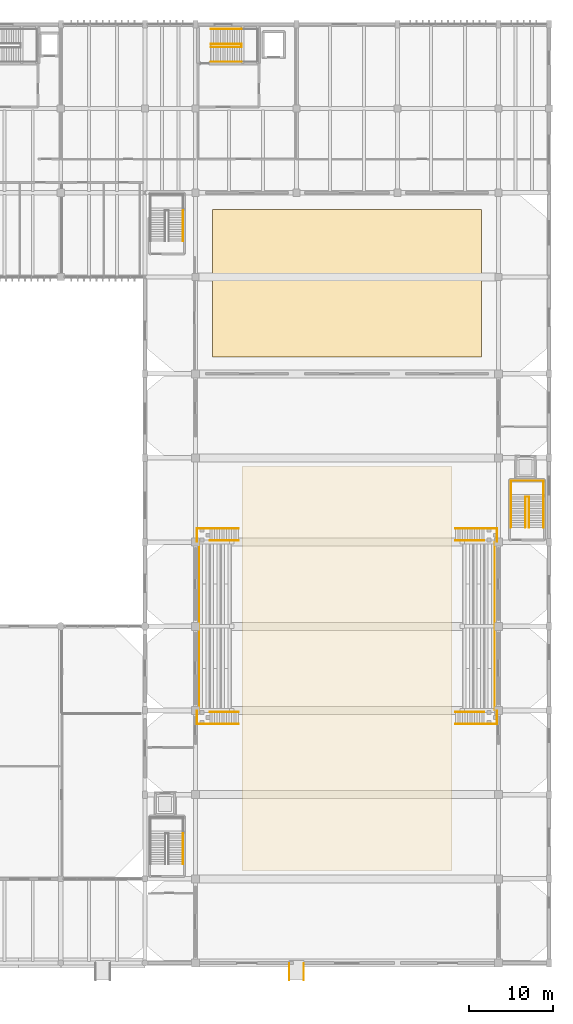
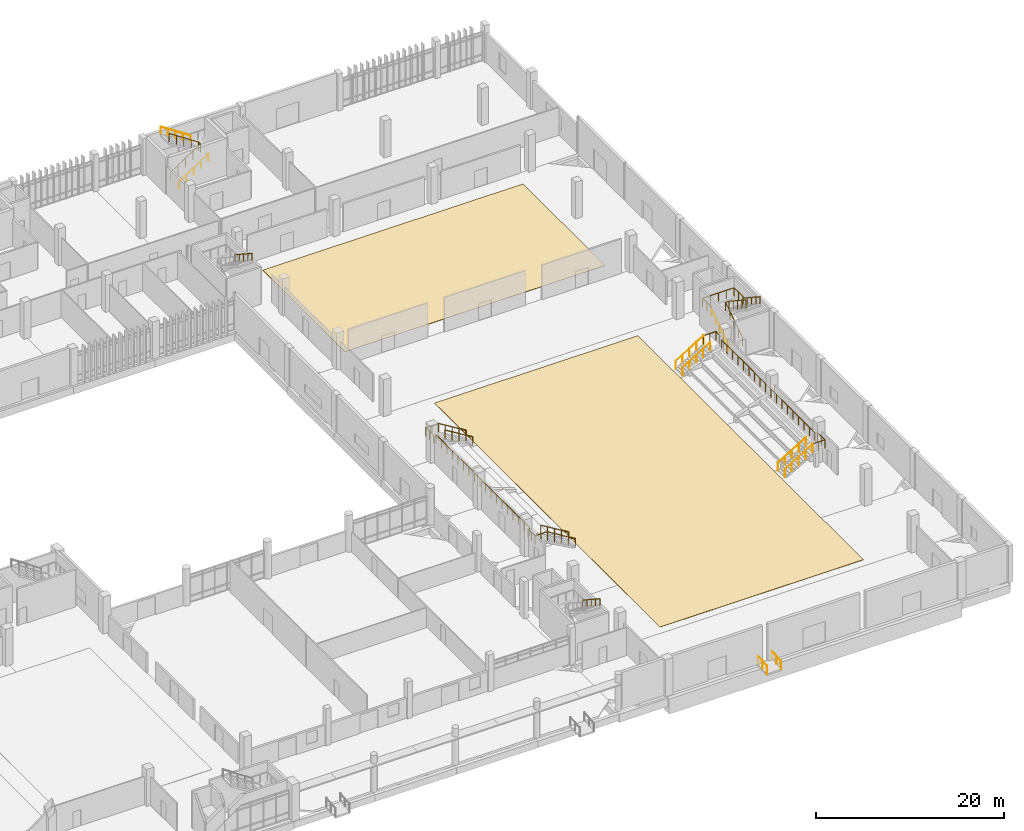
# One storey, part 85 of 87: 25 railings, 2 coverings.
"""IFC4 building model written with IfcOpenShell, lengths in metres."""

from ifc_helpers import new_model, si_unit, direction, frame, origin, origin_2d, place, context, subcontext, project, spatial, polyline, circle, outline, extrude, material, layer, layer_set, type_object, element, save


model = new_model("IFC4")

# Units and contexts
model_context = context("Model", 3, precision=1e-05, world=origin(), true_north=direction((0.0, 1.0)))
body_context = subcontext(model_context, "Body", "Model", "MODEL_VIEW")
ifc_project = project(units=[si_unit("LENGTHUNIT", "METRE"), si_unit("AREAUNIT", "SQUARE_METRE"), si_unit("VOLUMEUNIT", "CUBIC_METRE"), si_unit("PLANEANGLEUNIT", "RADIAN"), si_unit("MASSUNIT", "GRAM", prefix="KILO")], contexts=[model_context])

# Site, building, storey
site_placement = place(None, origin())
site = spatial("IfcSite", under=ifc_project, at=site_placement, CompositionType="ELEMENT")
building_placement = place(site_placement, origin())
building = spatial("IfcBuilding", under=site, at=building_placement, Name="Mersad Railyard Sports Hall", CompositionType="ELEMENT")
storey_placement = place(building_placement, origin())
storey = spatial("IfcBuildingStorey", under=building, at=storey_placement, Name="L00", CompositionType="ELEMENT", Elevation=0.0)

# Coverings
ifc_material_1 = material(Name="Sports floor polyurethane")
ifc_layer = layer(ifc_material_1, 0.030029296875)
ifc_layer_set = layer_set([ifc_layer], Name="Sports floor polyurethane")
covering_type = type_object("IfcCoveringType", Name="ARC-CV-FL01", PredefinedType="FLOORING", material=ifc_layer_set)
covering_1_placement = place(storey_placement, origin())
element("IfcCovering", 1, at=covering_1_placement, inside=storey, type_object=covering_type, Name="Show court hardwood sports flooring 020", PredefinedType="FLOORING", context=body_context, shape_type="SweptSolid", body=[
    extrude(outline(polyline([(142.5, 14.5), (167.5, 14.5), (167.5, 62.5), (142.5, 62.5), (142.5, 14.5)])), origin(), (0.0, 0.0, 1.0), 0.030029296875),
])
covering_2_placement = place(storey_placement, origin())
element("IfcCovering", 2, at=covering_2_placement, inside=storey, type_object=covering_type, Name="Climbing hall impact flooring 021", PredefinedType="FLOORING", context=body_context, shape_type="SweptSolid", body=[
    extrude(outline(polyline([(139.0, 75.5), (171.0, 75.5), (171.0, 93.0), (139.0, 93.0), (139.0, 75.5)])), origin(), (0.0, 0.0, 1.0), 0.030029296875),
])

# Railings
ifc_material_2 = material(Name="Steel S355", Category="steel")
railing_type_1 = type_object("IfcRailingType", Name="ARC-RL-GR01", PredefinedType="GUARDRAIL", material=ifc_material_2)
railing_1_placement = place(storey_placement, frame((138.85009765625, 112.31005859375, 0.0)))
element("IfcRailing", 3, at=railing_1_placement, inside=storey, type_object=railing_type_1, Name="Interior guard GR01-0098", PredefinedType="GUARDRAIL", context=body_context, shape_type="SweptSolid", body=[
    extrude(circle(Radius=0.02392578125, at=origin_2d()), frame((0.0, 0.0, 1.09619140625), z_axis=(0.834865213223, 0.0, 0.550454426587), x_axis=(0.0, 1.0, 0.0)), (0.0, 0.0, 1.0), 4.35986328125),
    extrude(circle(Radius=0.02392578125, at=origin_2d()), frame((3.639892578125, 0.0, 3.49609375), z_axis=(0.0, 1.0, 0.0), x_axis=(-1.0, 0.0, 0.0)), (0.0, 0.0, 1.0), 0.3798828125),
    extrude(circle(Radius=0.02392578125, at=origin_2d()), frame((3.639892578125, 0.3798828125, 3.49609375), z_axis=(-0.834839479206, 0.0, 0.550493454965), x_axis=(0.0, -1.0, 0.0)), (0.0, 0.0, 1.0), 4.360107421875),
    extrude(circle(Radius=0.02099609375, at=origin_2d()), origin(), (0.0, 0.0, 1.0), 1.072021484375),
    extrude(circle(Radius=0.02099609375, at=origin_2d()), frame((0.909912109375, 0.0, 0.60009765625)), (0.0, 0.0, 1.0), 1.072021484375),
    extrude(circle(Radius=0.02099609375, at=origin_2d()), frame((1.81982421875, 0.0, 1.199951171875)), (0.0, 0.0, 1.0), 1.072021484375),
    extrude(circle(Radius=0.02099609375, at=origin_2d()), frame((2.72998046875, 0.0, 1.7998046875)), (0.0, 0.0, 1.0), 1.072021484375),
    extrude(circle(Radius=0.02099609375, at=origin_2d()), frame((3.639892578125, 0.0, 2.39990234375)), (0.0, 0.0, 1.0), 1.072021484375),
    extrude(circle(Radius=0.02099609375, at=origin_2d()), frame((3.639892578125, 0.3798828125, 2.39990234375)), (0.0, 0.0, 1.0), 1.072021484375),
    extrude(circle(Radius=0.02099609375, at=origin_2d()), frame((2.72998046875, 0.3798828125, 3.0)), (0.0, 0.0, 1.0), 1.072021484375),
    extrude(circle(Radius=0.02099609375, at=origin_2d()), frame((1.81982421875, 0.3798828125, 3.60009765625)), (0.0, 0.0, 1.0), 1.072021484375),
    extrude(circle(Radius=0.02099609375, at=origin_2d()), frame((0.909912109375, 0.3798828125, 4.199951171875)), (0.0, 0.0, 1.0), 1.072021484375),
    extrude(circle(Radius=0.02099609375, at=origin_2d()), frame((0.0, 0.3798828125, 4.800048828125)), (0.0, 0.0, 1.0), 1.072021484375),
])
railing_2_placement = place(storey_placement, frame((176.18994140625, 55.25, 0.0)))
element("IfcRailing", 4, at=railing_2_placement, inside=storey, type_object=railing_type_1, Name="Interior guard GR01-0148", PredefinedType="GUARDRAIL", context=body_context, shape_type="SweptSolid", body=[
    extrude(circle(Radius=0.02392578125, at=origin_2d()), frame((0.0, 0.0, 1.09619140625), z_axis=(0.0, 0.834865213223, 0.550454426587), x_axis=(-1.0, 0.0, 0.0)), (0.0, 0.0, 1.0), 4.35986328125),
    extrude(circle(Radius=0.02392578125, at=origin_2d()), frame((0.0, 3.639892578125, 3.49609375), z_axis=(1.0, 0.0, 0.0), x_axis=(0.0, 1.0, 0.0)), (0.0, 0.0, 1.0), 0.420166015625),
    extrude(circle(Radius=0.02392578125, at=origin_2d()), frame((0.420166015625, 3.639892578125, 3.49609375), z_axis=(0.0, -0.834839479206, 0.550493454965), x_axis=(1.0, 0.0, 0.0)), (0.0, 0.0, 1.0), 4.360107421875),
    extrude(circle(Radius=0.02099609375, at=origin_2d()), origin(), (0.0, 0.0, 1.0), 1.072021484375),
    extrude(circle(Radius=0.02099609375, at=origin_2d()), frame((0.0, 0.909912109375, 0.60009765625)), (0.0, 0.0, 1.0), 1.072021484375),
    extrude(circle(Radius=0.02099609375, at=origin_2d()), frame((0.0, 1.81982421875, 1.199951171875)), (0.0, 0.0, 1.0), 1.072021484375),
    extrude(circle(Radius=0.02099609375, at=origin_2d()), frame((0.0, 2.72998046875, 1.7998046875)), (0.0, 0.0, 1.0), 1.072021484375),
    extrude(circle(Radius=0.02099609375, at=origin_2d()), frame((0.0, 3.639892578125, 2.39990234375)), (0.0, 0.0, 1.0), 1.072021484375),
    extrude(circle(Radius=0.02099609375, at=origin_2d()), frame((0.420166015625, 3.639892578125, 2.39990234375)), (0.0, 0.0, 1.0), 1.072021484375),
    extrude(circle(Radius=0.02099609375, at=origin_2d()), frame((0.420166015625, 2.72998046875, 3.0)), (0.0, 0.0, 1.0), 1.072021484375),
    extrude(circle(Radius=0.02099609375, at=origin_2d()), frame((0.420166015625, 1.81982421875, 3.60009765625)), (0.0, 0.0, 1.0), 1.072021484375),
    extrude(circle(Radius=0.02099609375, at=origin_2d()), frame((0.420166015625, 0.909912109375, 4.199951171875)), (0.0, 0.0, 1.0), 1.072021484375),
    extrude(circle(Radius=0.02099609375, at=origin_2d()), frame((0.420166015625, 0.0, 4.800048828125)), (0.0, 0.0, 1.0), 1.072021484375),
])
railing_3_placement = place(storey_placement, frame((174.4599609375, 58.889892578125, 2.39990234375)))
element("IfcRailing", 5, at=railing_3_placement, inside=storey, type_object=railing_type_1, Name="Interior guard GR01-0149", PredefinedType="GUARDRAIL", context=body_context, shape_type="SweptSolid", body=[
    extrude(circle(Radius=0.02392578125, at=origin_2d()), frame((0.0, 0.0, 1.09619140625), z_axis=(0.0, 1.0, 0.0), x_axis=(-1.0, 0.0, 0.0)), (0.0, 0.0, 1.0), 1.900146484375),
    extrude(circle(Radius=0.02392578125, at=origin_2d()), frame((0.0, 1.900146484375, 1.09619140625), z_axis=(1.0, 0.0, 0.0), x_axis=(0.0, 1.0, 0.0)), (0.0, 0.0, 1.0), 3.880126953125),
    extrude(circle(Radius=0.02392578125, at=origin_2d()), frame((3.880126953125, 1.900146484375, 1.09619140625), z_axis=(0.0, -1.0, 0.0), x_axis=(1.0, 0.0, 0.0)), (0.0, 0.0, 1.0), 1.900146484375),
    extrude(circle(Radius=0.02099609375, at=origin_2d()), origin(), (0.0, 0.0, 1.0), 1.072021484375),
    extrude(circle(Radius=0.02099609375, at=origin_2d()), frame((0.0, 0.9501953125, 0.0)), (0.0, 0.0, 1.0), 1.072021484375),
    extrude(circle(Radius=0.02099609375, at=origin_2d()), frame((0.0, 1.900146484375, 0.0)), (0.0, 0.0, 1.0), 1.072021484375),
    extrude(circle(Radius=0.02099609375, at=origin_2d()), frame((0.969970703125, 1.900146484375, 0.0)), (0.0, 0.0, 1.0), 1.072021484375),
    extrude(circle(Radius=0.02099609375, at=origin_2d()), frame((1.93994140625, 1.900146484375, 0.0)), (0.0, 0.0, 1.0), 1.072021484375),
    extrude(circle(Radius=0.02099609375, at=origin_2d()), frame((2.91015625, 1.900146484375, 0.0)), (0.0, 0.0, 1.0), 1.072021484375),
    extrude(circle(Radius=0.02099609375, at=origin_2d()), frame((3.880126953125, 1.900146484375, 0.0)), (0.0, 0.0, 1.0), 1.072021484375),
    extrude(circle(Radius=0.02099609375, at=origin_2d()), frame((3.880126953125, 0.9501953125, 0.0)), (0.0, 0.0, 1.0), 1.072021484375),
    extrude(circle(Radius=0.02099609375, at=origin_2d()), frame((3.880126953125, 0.0, 0.0)), (0.0, 0.0, 1.0), 1.072021484375),
])
for number, where, name in (
    (6, (142.1201171875, 31.889892578125, 0.0), "Interior guard GR01-0156"),
    (7, (142.1201171875, 33.31005859375, 0.0), "Interior guard GR01-0157"),
):
    element("IfcRailing", number, at=place(storey_placement, frame(where)), inside=storey, type_object=railing_type_1, Name=name, PredefinedType="GUARDRAIL", context=body_context, shape_type="SweptSolid", body=[
        extrude(circle(Radius=0.02392578125, at=origin_2d()), frame((0.0, 0.0, 1.09619140625), z_axis=(-0.852171701593, 0.0, 0.523262258341), x_axis=(0.0, -1.0, 0.0)), (0.0, 0.0, 1.0), 4.013427734375),
        extrude(circle(Radius=0.02099609375, at=origin_2d()), origin(), (0.0, 0.0, 1.0), 1.072021484375),
        extrude(circle(Radius=0.02099609375, at=origin_2d()), frame((-0.85498046875, 0.0, 0.52490234375)), (0.0, 0.0, 1.0), 1.072021484375),
        extrude(circle(Radius=0.02099609375, at=origin_2d()), frame((-1.7099609375, 0.0, 1.050048828125)), (0.0, 0.0, 1.0), 1.072021484375),
        extrude(circle(Radius=0.02099609375, at=origin_2d()), frame((-2.565185546875, 0.0, 1.5751953125)), (0.0, 0.0, 1.0), 1.072021484375),
        extrude(circle(Radius=0.02099609375, at=origin_2d()), frame((-3.420166015625, 0.0, 2.10009765625)), (0.0, 0.0, 1.0), 1.072021484375),
    ])
railing_4_placement = place(storey_placement, frame((138.699951171875, 31.89990234375, 2.10009765625)))
element("IfcRailing", 8, at=railing_4_placement, inside=storey, type_object=railing_type_1, Name="Interior guard GR01-0158", PredefinedType="GUARDRAIL", context=body_context, shape_type="SweptSolid", body=[
    extrude(circle(Radius=0.02392578125, at=origin_2d()), frame((0.0, 0.0, 1.09619140625), z_axis=(-1.0, 0.0, 0.0), x_axis=(0.0, -1.0, 0.0)), (0.0, 0.0, 1.0), 1.510009765625),
    extrude(circle(Radius=0.02392578125, at=origin_2d()), frame((-1.510009765625, 0.0, 1.09619140625), z_axis=(0.0, 1.0, 0.0), x_axis=(-1.0, 0.0, 0.0)), (0.0, 0.0, 1.0), 1.550048828125),
    extrude(circle(Radius=0.02099609375, at=origin_2d()), origin(), (0.0, 0.0, 1.0), 1.072021484375),
    extrude(circle(Radius=0.02099609375, at=origin_2d()), frame((-0.7548828125, 0.0, 0.0)), (0.0, 0.0, 1.0), 1.072021484375),
    extrude(circle(Radius=0.02099609375, at=origin_2d()), frame((-1.510009765625, 0.0, 0.0)), (0.0, 0.0, 1.0), 1.072021484375),
    extrude(circle(Radius=0.02099609375, at=origin_2d()), frame((-1.510009765625, 0.77490234375, 0.0)), (0.0, 0.0, 1.0), 1.072021484375),
    extrude(circle(Radius=0.02099609375, at=origin_2d()), frame((-1.510009765625, 1.550048828125, 0.0)), (0.0, 0.0, 1.0), 1.072021484375),
])
for number, where, name in (
    (9, (142.1201171875, 53.68994140625, 0.0), "Interior guard GR01-0159"),
    (10, (142.1201171875, 55.110107421875, 0.0), "Interior guard GR01-0160"),
):
    element("IfcRailing", number, at=place(storey_placement, frame(where)), inside=storey, type_object=railing_type_1, Name=name, PredefinedType="GUARDRAIL", context=body_context, shape_type="SweptSolid", body=[
        extrude(circle(Radius=0.02392578125, at=origin_2d()), frame((0.0, 0.0, 1.09619140625), z_axis=(-0.852171701593, 0.0, 0.523262258341), x_axis=(0.0, -1.0, 0.0)), (0.0, 0.0, 1.0), 4.013427734375),
        extrude(circle(Radius=0.02099609375, at=origin_2d()), origin(), (0.0, 0.0, 1.0), 1.072021484375),
        extrude(circle(Radius=0.02099609375, at=origin_2d()), frame((-0.85498046875, 0.0, 0.52490234375)), (0.0, 0.0, 1.0), 1.072021484375),
        extrude(circle(Radius=0.02099609375, at=origin_2d()), frame((-1.7099609375, 0.0, 1.050048828125)), (0.0, 0.0, 1.0), 1.072021484375),
        extrude(circle(Radius=0.02099609375, at=origin_2d()), frame((-2.565185546875, 0.0, 1.5751953125)), (0.0, 0.0, 1.0), 1.072021484375),
        extrude(circle(Radius=0.02099609375, at=origin_2d()), frame((-3.420166015625, 0.0, 2.10009765625)), (0.0, 0.0, 1.0), 1.072021484375),
    ])
railing_5_placement = place(storey_placement, frame((138.699951171875, 55.10009765625, 2.10009765625)))
element("IfcRailing", 11, at=railing_5_placement, inside=storey, type_object=railing_type_1, Name="Interior guard GR01-0161", PredefinedType="GUARDRAIL", context=body_context, shape_type="SweptSolid", body=[
    extrude(circle(Radius=0.02392578125, at=origin_2d()), frame((0.0, 0.0, 1.09619140625), z_axis=(-1.0, 0.0, 0.0), x_axis=(0.0, -1.0, 0.0)), (0.0, 0.0, 1.0), 1.510009765625),
    extrude(circle(Radius=0.02392578125, at=origin_2d()), frame((-1.510009765625, 0.0, 1.09619140625), z_axis=(0.0, -1.0, 0.0), x_axis=(1.0, 0.0, 0.0)), (0.0, 0.0, 1.0), 1.550048828125),
    extrude(circle(Radius=0.02099609375, at=origin_2d()), origin(), (0.0, 0.0, 1.0), 1.072021484375),
    extrude(circle(Radius=0.02099609375, at=origin_2d()), frame((-0.7548828125, 0.0, 0.0)), (0.0, 0.0, 1.0), 1.072021484375),
    extrude(circle(Radius=0.02099609375, at=origin_2d()), frame((-1.510009765625, 0.0, 0.0)), (0.0, 0.0, 1.0), 1.072021484375),
    extrude(circle(Radius=0.02099609375, at=origin_2d()), frame((-1.510009765625, -0.77490234375, 0.0)), (0.0, 0.0, 1.0), 1.072021484375),
    extrude(circle(Radius=0.02099609375, at=origin_2d()), frame((-1.510009765625, -1.550048828125, 0.0)), (0.0, 0.0, 1.0), 1.072021484375),
])
for number, where, name in (
    (12, (167.8798828125, 31.889892578125, 0.0), "Interior guard GR01-0162"),
    (13, (167.8798828125, 33.31005859375, 0.0), "Interior guard GR01-0163"),
):
    element("IfcRailing", number, at=place(storey_placement, frame(where)), inside=storey, type_object=railing_type_1, Name=name, PredefinedType="GUARDRAIL", context=body_context, shape_type="SweptSolid", body=[
        extrude(circle(Radius=0.02392578125, at=origin_2d()), frame((0.0, 0.0, 1.09619140625), z_axis=(0.852171701593, 0.0, 0.523262258341), x_axis=(0.0, 1.0, 0.0)), (0.0, 0.0, 1.0), 4.013427734375),
        extrude(circle(Radius=0.02099609375, at=origin_2d()), origin(), (0.0, 0.0, 1.0), 1.072021484375),
        extrude(circle(Radius=0.02099609375, at=origin_2d()), frame((0.85498046875, 0.0, 0.52490234375)), (0.0, 0.0, 1.0), 1.072021484375),
        extrude(circle(Radius=0.02099609375, at=origin_2d()), frame((1.7099609375, 0.0, 1.050048828125)), (0.0, 0.0, 1.0), 1.072021484375),
        extrude(circle(Radius=0.02099609375, at=origin_2d()), frame((2.565185546875, 0.0, 1.5751953125)), (0.0, 0.0, 1.0), 1.072021484375),
        extrude(circle(Radius=0.02099609375, at=origin_2d()), frame((3.420166015625, 0.0, 2.10009765625)), (0.0, 0.0, 1.0), 1.072021484375),
    ])
railing_6_placement = place(storey_placement, frame((171.300048828125, 31.89990234375, 2.10009765625)))
element("IfcRailing", 14, at=railing_6_placement, inside=storey, type_object=railing_type_1, Name="Interior guard GR01-0164", PredefinedType="GUARDRAIL", context=body_context, shape_type="SweptSolid", body=[
    extrude(circle(Radius=0.02392578125, at=origin_2d()), frame((0.0, 0.0, 1.09619140625), z_axis=(1.0, 0.0, 0.0), x_axis=(0.0, 1.0, 0.0)), (0.0, 0.0, 1.0), 1.510009765625),
    extrude(circle(Radius=0.02392578125, at=origin_2d()), frame((1.510009765625, 0.0, 1.09619140625), z_axis=(0.0, 1.0, 0.0), x_axis=(-1.0, 0.0, 0.0)), (0.0, 0.0, 1.0), 1.550048828125),
    extrude(circle(Radius=0.02099609375, at=origin_2d()), origin(), (0.0, 0.0, 1.0), 1.072021484375),
    extrude(circle(Radius=0.02099609375, at=origin_2d()), frame((0.7548828125, 0.0, 0.0)), (0.0, 0.0, 1.0), 1.072021484375),
    extrude(circle(Radius=0.02099609375, at=origin_2d()), frame((1.510009765625, 0.0, 0.0)), (0.0, 0.0, 1.0), 1.072021484375),
    extrude(circle(Radius=0.02099609375, at=origin_2d()), frame((1.510009765625, 0.77490234375, 0.0)), (0.0, 0.0, 1.0), 1.072021484375),
    extrude(circle(Radius=0.02099609375, at=origin_2d()), frame((1.510009765625, 1.550048828125, 0.0)), (0.0, 0.0, 1.0), 1.072021484375),
])
for number, where, name in (
    (15, (167.8798828125, 53.68994140625, 0.0), "Interior guard GR01-0165"),
    (16, (167.8798828125, 55.110107421875, 0.0), "Interior guard GR01-0166"),
):
    element("IfcRailing", number, at=place(storey_placement, frame(where)), inside=storey, type_object=railing_type_1, Name=name, PredefinedType="GUARDRAIL", context=body_context, shape_type="SweptSolid", body=[
        extrude(circle(Radius=0.02392578125, at=origin_2d()), frame((0.0, 0.0, 1.09619140625), z_axis=(0.852171701593, 0.0, 0.523262258341), x_axis=(0.0, 1.0, 0.0)), (0.0, 0.0, 1.0), 4.013427734375),
        extrude(circle(Radius=0.02099609375, at=origin_2d()), origin(), (0.0, 0.0, 1.0), 1.072021484375),
        extrude(circle(Radius=0.02099609375, at=origin_2d()), frame((0.85498046875, 0.0, 0.52490234375)), (0.0, 0.0, 1.0), 1.072021484375),
        extrude(circle(Radius=0.02099609375, at=origin_2d()), frame((1.7099609375, 0.0, 1.050048828125)), (0.0, 0.0, 1.0), 1.072021484375),
        extrude(circle(Radius=0.02099609375, at=origin_2d()), frame((2.565185546875, 0.0, 1.5751953125)), (0.0, 0.0, 1.0), 1.072021484375),
        extrude(circle(Radius=0.02099609375, at=origin_2d()), frame((3.420166015625, 0.0, 2.10009765625)), (0.0, 0.0, 1.0), 1.072021484375),
    ])
railing_7_placement = place(storey_placement, frame((171.300048828125, 55.10009765625, 2.10009765625)))
element("IfcRailing", 17, at=railing_7_placement, inside=storey, type_object=railing_type_1, Name="Interior guard GR01-0167", PredefinedType="GUARDRAIL", context=body_context, shape_type="SweptSolid", body=[
    extrude(circle(Radius=0.02392578125, at=origin_2d()), frame((0.0, 0.0, 1.09619140625), z_axis=(1.0, 0.0, 0.0), x_axis=(0.0, 1.0, 0.0)), (0.0, 0.0, 1.0), 1.510009765625),
    extrude(circle(Radius=0.02392578125, at=origin_2d()), frame((1.510009765625, 0.0, 1.09619140625), z_axis=(0.0, -1.0, 0.0), x_axis=(1.0, 0.0, 0.0)), (0.0, 0.0, 1.0), 1.550048828125),
    extrude(circle(Radius=0.02099609375, at=origin_2d()), origin(), (0.0, 0.0, 1.0), 1.072021484375),
    extrude(circle(Radius=0.02099609375, at=origin_2d()), frame((0.7548828125, 0.0, 0.0)), (0.0, 0.0, 1.0), 1.072021484375),
    extrude(circle(Radius=0.02099609375, at=origin_2d()), frame((1.510009765625, 0.0, 0.0)), (0.0, 0.0, 1.0), 1.072021484375),
    extrude(circle(Radius=0.02099609375, at=origin_2d()), frame((1.510009765625, -0.77490234375, 0.0)), (0.0, 0.0, 1.0), 1.072021484375),
    extrude(circle(Radius=0.02099609375, at=origin_2d()), frame((1.510009765625, -1.550048828125, 0.0)), (0.0, 0.0, 1.0), 1.072021484375),
])
for number, where, name in (
    (18, (148.139892578125, 1.5, -0.14990234375), "Interior guard GR01-0178"),
    (19, (149.860107421875, 1.5, -0.14990234375), "Interior guard GR01-0179"),
):
    element("IfcRailing", number, at=place(storey_placement, frame(where)), inside=storey, type_object=railing_type_1, Name=name, PredefinedType="GUARDRAIL", context=body_context, shape_type="SweptSolid", body=[
        extrude(circle(Radius=0.02392578125, at=origin_2d()), frame((0.0, 0.0, 1.09619140625), z_axis=(0.0, 0.99743646422, 0.07155766796), x_axis=(-1.0, 0.0, 0.0)), (0.0, 0.0, 1.0), 1.955078125),
        extrude(circle(Radius=0.02099609375, at=origin_2d()), origin(), (0.0, 0.0, 1.0), 1.072021484375),
        extrude(circle(Radius=0.02099609375, at=origin_2d()), frame((0.0, 0.97509765625, 0.06982421875)), (0.0, 0.0, 1.0), 1.072021484375),
        extrude(circle(Radius=0.02099609375, at=origin_2d()), frame((0.0, 1.949951171875, 0.139892578125)), (0.0, 0.0, 1.0), 1.072021484375),
    ])
railing_8_placement = place(storey_placement, frame((137.449951171875, 33.550048828125, 2.10009765625)))
element("IfcRailing", 20, at=railing_8_placement, inside=storey, type_object=railing_type_1, Name="Interior guard GR01-0196", PredefinedType="GUARDRAIL", context=body_context, shape_type="SweptSolid", body=[
    extrude(circle(Radius=0.02392578125, at=origin_2d()), frame((0.0, 0.0, 1.09619140625), z_axis=(0.0, 1.0, 0.0), x_axis=(-1.0, 0.0, 0.0)), (0.0, 0.0, 1.0), 19.89990234375),
    extrude(circle(Radius=0.02099609375, at=origin_2d()), origin(), (0.0, 0.0, 1.0), 1.072021484375),
    extrude(circle(Radius=0.02099609375, at=origin_2d()), frame((0.0, 1.170654296875, 0.0)), (0.0, 0.0, 1.0), 1.072021484375),
    extrude(circle(Radius=0.02099609375, at=origin_2d()), frame((0.0, 2.341064453125, 0.0)), (0.0, 0.0, 1.0), 1.072021484375),
    extrude(circle(Radius=0.02099609375, at=origin_2d()), frame((0.0, 3.51171875, 0.0)), (0.0, 0.0, 1.0), 1.072021484375),
    extrude(circle(Radius=0.02099609375, at=origin_2d()), frame((0.0, 4.682373046875, 0.0)), (0.0, 0.0, 1.0), 1.072021484375),
    extrude(circle(Radius=0.02099609375, at=origin_2d()), frame((0.0, 5.85302734375, 0.0)), (0.0, 0.0, 1.0), 1.072021484375),
    extrude(circle(Radius=0.02099609375, at=origin_2d()), frame((0.0, 7.0234375, 0.0)), (0.0, 0.0, 1.0), 1.072021484375),
    extrude(circle(Radius=0.02099609375, at=origin_2d()), frame((0.0, 8.194091796875, 0.0)), (0.0, 0.0, 1.0), 1.072021484375),
    extrude(circle(Radius=0.02099609375, at=origin_2d()), frame((0.0, 9.36474609375, 0.0)), (0.0, 0.0, 1.0), 1.072021484375),
    extrude(circle(Radius=0.02099609375, at=origin_2d()), frame((0.0, 10.53515625, 0.0)), (0.0, 0.0, 1.0), 1.072021484375),
    extrude(circle(Radius=0.02099609375, at=origin_2d()), frame((0.0, 11.705810546875, 0.0)), (0.0, 0.0, 1.0), 1.072021484375),
    extrude(circle(Radius=0.02099609375, at=origin_2d()), frame((0.0, 12.87646484375, 0.0)), (0.0, 0.0, 1.0), 1.072021484375),
    extrude(circle(Radius=0.02099609375, at=origin_2d()), frame((0.0, 14.046875, 0.0)), (0.0, 0.0, 1.0), 1.072021484375),
    extrude(circle(Radius=0.02099609375, at=origin_2d()), frame((0.0, 15.217529296875, 0.0)), (0.0, 0.0, 1.0), 1.072021484375),
    extrude(circle(Radius=0.02099609375, at=origin_2d()), frame((0.0, 16.38818359375, 0.0)), (0.0, 0.0, 1.0), 1.072021484375),
    extrude(circle(Radius=0.02099609375, at=origin_2d()), frame((0.0, 17.558837890625, 0.0)), (0.0, 0.0, 1.0), 1.072021484375),
    extrude(circle(Radius=0.02099609375, at=origin_2d()), frame((0.0, 18.729248046875, 0.0)), (0.0, 0.0, 1.0), 1.072021484375),
    extrude(circle(Radius=0.02099609375, at=origin_2d()), frame((0.0, 19.89990234375, 0.0)), (0.0, 0.0, 1.0), 1.072021484375),
])
railing_9_placement = place(storey_placement, frame((172.550048828125, 33.550048828125, 2.10009765625)))
element("IfcRailing", 21, at=railing_9_placement, inside=storey, type_object=railing_type_1, Name="Interior guard GR01-0197", PredefinedType="GUARDRAIL", context=body_context, shape_type="SweptSolid", body=[
    extrude(circle(Radius=0.02392578125, at=origin_2d()), frame((0.0, 0.0, 1.09619140625), z_axis=(0.0, 1.0, 0.0), x_axis=(-1.0, 0.0, 0.0)), (0.0, 0.0, 1.0), 19.89990234375),
    extrude(circle(Radius=0.02099609375, at=origin_2d()), origin(), (0.0, 0.0, 1.0), 1.072021484375),
    extrude(circle(Radius=0.02099609375, at=origin_2d()), frame((0.0, 1.170654296875, 0.0)), (0.0, 0.0, 1.0), 1.072021484375),
    extrude(circle(Radius=0.02099609375, at=origin_2d()), frame((0.0, 2.341064453125, 0.0)), (0.0, 0.0, 1.0), 1.072021484375),
    extrude(circle(Radius=0.02099609375, at=origin_2d()), frame((0.0, 3.51171875, 0.0)), (0.0, 0.0, 1.0), 1.072021484375),
    extrude(circle(Radius=0.02099609375, at=origin_2d()), frame((0.0, 4.682373046875, 0.0)), (0.0, 0.0, 1.0), 1.072021484375),
    extrude(circle(Radius=0.02099609375, at=origin_2d()), frame((0.0, 5.85302734375, 0.0)), (0.0, 0.0, 1.0), 1.072021484375),
    extrude(circle(Radius=0.02099609375, at=origin_2d()), frame((0.0, 7.0234375, 0.0)), (0.0, 0.0, 1.0), 1.072021484375),
    extrude(circle(Radius=0.02099609375, at=origin_2d()), frame((0.0, 8.194091796875, 0.0)), (0.0, 0.0, 1.0), 1.072021484375),
    extrude(circle(Radius=0.02099609375, at=origin_2d()), frame((0.0, 9.36474609375, 0.0)), (0.0, 0.0, 1.0), 1.072021484375),
    extrude(circle(Radius=0.02099609375, at=origin_2d()), frame((0.0, 10.53515625, 0.0)), (0.0, 0.0, 1.0), 1.072021484375),
    extrude(circle(Radius=0.02099609375, at=origin_2d()), frame((0.0, 11.705810546875, 0.0)), (0.0, 0.0, 1.0), 1.072021484375),
    extrude(circle(Radius=0.02099609375, at=origin_2d()), frame((0.0, 12.87646484375, 0.0)), (0.0, 0.0, 1.0), 1.072021484375),
    extrude(circle(Radius=0.02099609375, at=origin_2d()), frame((0.0, 14.046875, 0.0)), (0.0, 0.0, 1.0), 1.072021484375),
    extrude(circle(Radius=0.02099609375, at=origin_2d()), frame((0.0, 15.217529296875, 0.0)), (0.0, 0.0, 1.0), 1.072021484375),
    extrude(circle(Radius=0.02099609375, at=origin_2d()), frame((0.0, 16.38818359375, 0.0)), (0.0, 0.0, 1.0), 1.072021484375),
    extrude(circle(Radius=0.02099609375, at=origin_2d()), frame((0.0, 17.558837890625, 0.0)), (0.0, 0.0, 1.0), 1.072021484375),
    extrude(circle(Radius=0.02099609375, at=origin_2d()), frame((0.0, 18.729248046875, 0.0)), (0.0, 0.0, 1.0), 1.072021484375),
    extrude(circle(Radius=0.02099609375, at=origin_2d()), frame((0.0, 19.89990234375, 0.0)), (0.0, 0.0, 1.0), 1.072021484375),
])
railing_type_2 = type_object("IfcRailingType", Name="ARC-RL-HR01", PredefinedType="HANDRAIL", material=ifc_material_2)
railing_10_placement = place(storey_placement, frame((138.85009765625, 110.56005859375, 0.0)))
element("IfcRailing", 22, at=railing_10_placement, inside=storey, type_object=railing_type_2, Name="Interior handrail HR01-0096", PredefinedType="HANDRAIL", context=body_context, shape_type="SweptSolid", body=[
    extrude(circle(Radius=0.02392578125, at=origin_2d()), frame((0.0, 0.0, 0.89599609375), z_axis=(0.834865213223, 0.0, 0.550454426587), x_axis=(0.0, 1.0, 0.0)), (0.0, 0.0, 1.0), 4.35986328125),
    extrude(circle(Radius=0.02099609375, at=origin_2d()), origin(), (0.0, 0.0, 1.0), 0.871826171875),
    extrude(circle(Radius=0.02099609375, at=origin_2d()), frame((0.909912109375, 0.0, 0.60009765625)), (0.0, 0.0, 1.0), 0.871826171875),
    extrude(circle(Radius=0.02099609375, at=origin_2d()), frame((1.81982421875, 0.0, 1.199951171875)), (0.0, 0.0, 1.0), 0.871826171875),
    extrude(circle(Radius=0.02099609375, at=origin_2d()), frame((2.72998046875, 0.0, 1.7998046875)), (0.0, 0.0, 1.0), 0.871826171875),
    extrude(circle(Radius=0.02099609375, at=origin_2d()), frame((3.639892578125, 0.0, 2.39990234375)), (0.0, 0.0, 1.0), 0.871826171875),
])
railing_11_placement = place(storey_placement, frame((142.489990234375, 114.43994140625, 2.39990234375)))
element("IfcRailing", 23, at=railing_11_placement, inside=storey, type_object=railing_type_2, Name="Interior handrail HR01-0097", PredefinedType="HANDRAIL", context=body_context, shape_type="SweptSolid", body=[
    extrude(circle(Radius=0.02392578125, at=origin_2d()), frame((0.0, 0.0, 0.89599609375), z_axis=(-0.834839479206, 0.0, 0.550493454965), x_axis=(0.0, -1.0, 0.0)), (0.0, 0.0, 1.0), 4.360107421875),
    extrude(circle(Radius=0.02099609375, at=origin_2d()), origin(), (0.0, 0.0, 1.0), 0.871826171875),
    extrude(circle(Radius=0.02099609375, at=origin_2d()), frame((-0.909912109375, 0.0, 0.60009765625)), (0.0, 0.0, 1.0), 0.871826171875),
    extrude(circle(Radius=0.02099609375, at=origin_2d()), frame((-1.81982421875, 0.0, 1.2001953125)), (0.0, 0.0, 1.0), 0.871826171875),
    extrude(circle(Radius=0.02099609375, at=origin_2d()), frame((-2.72998046875, 0.0, 1.800048828125)), (0.0, 0.0, 1.0), 0.871826171875),
    extrude(circle(Radius=0.02099609375, at=origin_2d()), frame((-3.639892578125, 0.0, 2.400146484375)), (0.0, 0.0, 1.0), 0.871826171875),
])
railing_12_placement = place(storey_placement, frame((135.5400390625, 18.889892578125, 2.39990234375)))
element("IfcRailing", 24, at=railing_12_placement, inside=storey, type_object=railing_type_2, Name="Interior handrail HR01-0142", PredefinedType="HANDRAIL", context=body_context, shape_type="SweptSolid", body=[
    extrude(circle(Radius=0.02392578125, at=origin_2d()), frame((0.0, 0.0, 0.89599609375), z_axis=(0.0, -0.834839479206, 0.550493454965), x_axis=(1.0, 0.0, 0.0)), (0.0, 0.0, 1.0), 4.360107421875),
    extrude(circle(Radius=0.02099609375, at=origin_2d()), origin(), (0.0, 0.0, 1.0), 0.871826171875),
    extrude(circle(Radius=0.02099609375, at=origin_2d()), frame((0.0, -0.909912109375, 0.60009765625)), (0.0, 0.0, 1.0), 0.871826171875),
    extrude(circle(Radius=0.02099609375, at=origin_2d()), frame((0.0, -1.81982421875, 1.2001953125)), (0.0, 0.0, 1.0), 0.871826171875),
    extrude(circle(Radius=0.02099609375, at=origin_2d()), frame((0.0, -2.72998046875, 1.800048828125)), (0.0, 0.0, 1.0), 0.871826171875),
    extrude(circle(Radius=0.02099609375, at=origin_2d()), frame((0.0, -3.639892578125, 2.400146484375)), (0.0, 0.0, 1.0), 0.871826171875),
])
railing_13_placement = place(storey_placement, frame((174.4599609375, 55.25, 0.0)))
element("IfcRailing", 25, at=railing_13_placement, inside=storey, type_object=railing_type_2, Name="Interior handrail HR01-0146", PredefinedType="HANDRAIL", context=body_context, shape_type="SweptSolid", body=[
    extrude(circle(Radius=0.02392578125, at=origin_2d()), frame((0.0, 0.0, 0.89599609375), z_axis=(0.0, 0.834865213223, 0.550454426587), x_axis=(-1.0, 0.0, 0.0)), (0.0, 0.0, 1.0), 4.35986328125),
    extrude(circle(Radius=0.02099609375, at=origin_2d()), origin(), (0.0, 0.0, 1.0), 0.871826171875),
    extrude(circle(Radius=0.02099609375, at=origin_2d()), frame((0.0, 0.909912109375, 0.60009765625)), (0.0, 0.0, 1.0), 0.871826171875),
    extrude(circle(Radius=0.02099609375, at=origin_2d()), frame((0.0, 1.81982421875, 1.199951171875)), (0.0, 0.0, 1.0), 0.871826171875),
    extrude(circle(Radius=0.02099609375, at=origin_2d()), frame((0.0, 2.72998046875, 1.7998046875)), (0.0, 0.0, 1.0), 0.871826171875),
    extrude(circle(Radius=0.02099609375, at=origin_2d()), frame((0.0, 3.639892578125, 2.39990234375)), (0.0, 0.0, 1.0), 0.871826171875),
])
for number, where, name in (
    (26, (178.340087890625, 58.889892578125, 2.39990234375), "Interior handrail HR01-0147"),
    (27, (135.5400390625, 92.889892578125, 2.39990234375), "Interior handrail HR01-0152"),
):
    element("IfcRailing", number, at=place(storey_placement, frame(where)), inside=storey, type_object=railing_type_2, Name=name, PredefinedType="HANDRAIL", context=body_context, shape_type="SweptSolid", body=[
        extrude(circle(Radius=0.02392578125, at=origin_2d()), frame((0.0, 0.0, 0.89599609375), z_axis=(0.0, -0.834839479206, 0.550493454965), x_axis=(1.0, 0.0, 0.0)), (0.0, 0.0, 1.0), 4.360107421875),
        extrude(circle(Radius=0.02099609375, at=origin_2d()), origin(), (0.0, 0.0, 1.0), 0.871826171875),
        extrude(circle(Radius=0.02099609375, at=origin_2d()), frame((0.0, -0.909912109375, 0.60009765625)), (0.0, 0.0, 1.0), 0.871826171875),
        extrude(circle(Radius=0.02099609375, at=origin_2d()), frame((0.0, -1.81982421875, 1.2001953125)), (0.0, 0.0, 1.0), 0.871826171875),
        extrude(circle(Radius=0.02099609375, at=origin_2d()), frame((0.0, -2.72998046875, 1.800048828125)), (0.0, 0.0, 1.0), 0.871826171875),
        extrude(circle(Radius=0.02099609375, at=origin_2d()), frame((0.0, -3.639892578125, 2.400146484375)), (0.0, 0.0, 1.0), 0.871826171875),
    ])

save(model, "model.ifc")
